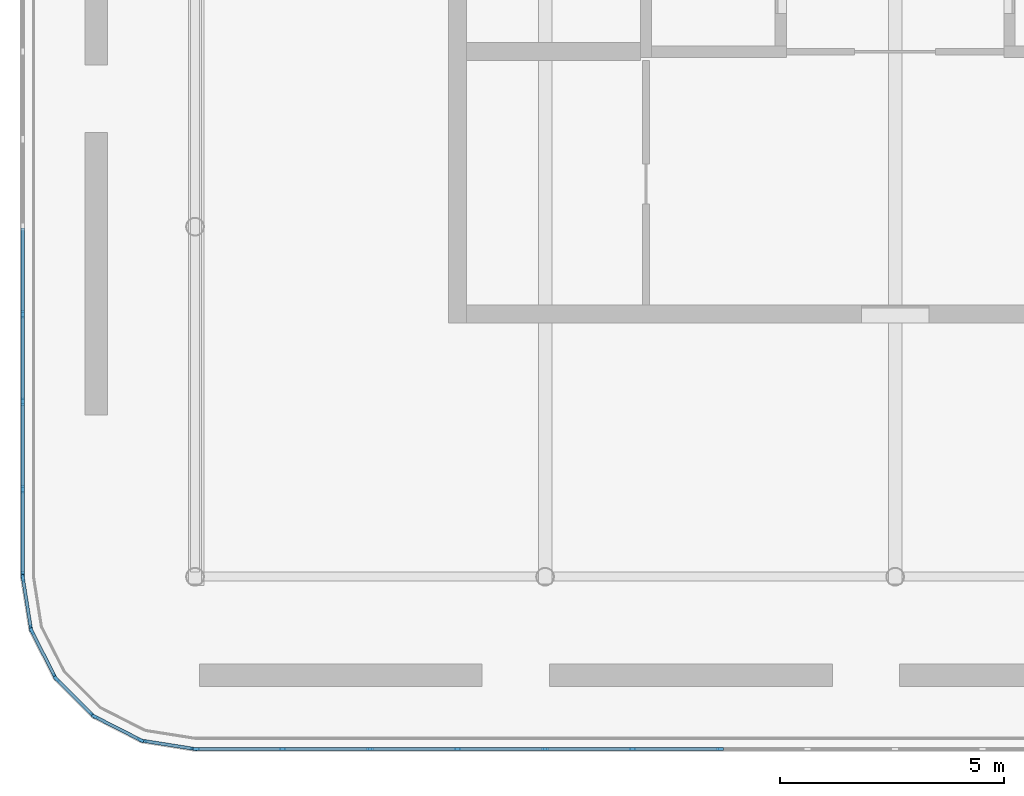
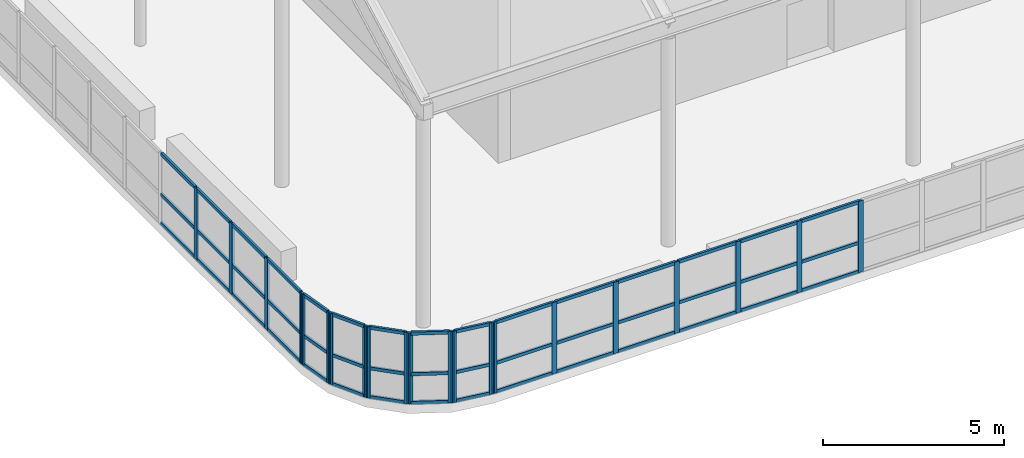
# One storey, part 4 of 19: 66 members, 7 elements without a shape of their own.
"""IFC4 building model written with IfcOpenShell, lengths in metres."""

from ifc_helpers import new_model, si_unit, direction, frame, origin, origin_2d, place, context, subcontext, project, spatial, rectangle, extrude, material, material_profile, profile_set, type_object, element, aggregate, save


model = new_model("IFC4")

# Units and contexts
model_context = context("Model", 3, precision=1e-05, world=origin(), true_north=direction((0.0, 1.0)))
body_context = subcontext(model_context, "Body", "Model", "MODEL_VIEW")
ifc_project = project(units=[si_unit("LENGTHUNIT", "METRE"), si_unit("AREAUNIT", "SQUARE_METRE"), si_unit("VOLUMEUNIT", "CUBIC_METRE"), si_unit("PLANEANGLEUNIT", "RADIAN"), si_unit("MASSUNIT", "GRAM", prefix="KILO")], contexts=[model_context])

# Site, building, storey
site_placement = place(None, origin())
site = spatial("IfcSite", under=ifc_project, at=site_placement, CompositionType="ELEMENT")
building_placement = place(site_placement, origin())
building = spatial("IfcBuilding", under=site, at=building_placement, Name="Ludao Terraces", CompositionType="ELEMENT")
storey_placement = place(building_placement, frame((0.0, 0.0, 266.39990234375)))
storey = spatial("IfcBuildingStorey", under=building, at=storey_placement, Name="L73", CompositionType="ELEMENT", Elevation=266.39990234375)

# Curtain wall, members
ifc_material_1 = material(Name="Aluminium curtain wall with fritted glass", Category="aluminium")
curtain_wall_type = type_object("IfcCurtainWallType", Name="ENV CW6 crown screen glazing", PredefinedType="NOTDEFINED", material=ifc_material_1)
curtain_wall_1_placement = place(storey_placement, origin())
curtain_wall_1 = element("IfcCurtainWall", 1, at=curtain_wall_1_placement, inside=storey, type_object=curtain_wall_type, Name="Deck windscreen S1", PredefinedType="NOTDEFINED")
ifc_material_2 = material(Name="Aluminium 6063-T6", Category="aluminium")
ifc_material_profile_1 = material_profile(ifc_material_2, rectangle(XDim=0.070068359375, YDim=0.159912109375, at=origin_2d()), Name="70 X 160")
ifc_profile_set_1 = profile_set([ifc_material_profile_1], Name="Aluminium 6063-T6")
member_type_1 = type_object("IfcMemberType", Name="ENV CW6 mullion 70x160", PredefinedType="MULLION", material=ifc_profile_set_1)
member_1_placement = place(storey_placement, frame((69.43505859375, 45.56005859375, 0.0), z_axis=(0.0, 0.0, 1.0), x_axis=(0.0, 1.0, 0.0)))
member_1 = element("IfcMember", 2, at=member_1_placement, type_object=member_type_1, Name="CW6 mullion 1", PredefinedType="MULLION", context=body_context, shape_type="SweptSolid", body=[
    extrude(rectangle(XDim=0.070068359375, YDim=0.159912109375, at=origin_2d()), origin(), (0.0, 0.0, 1.0), 2.400146484375),
])
member_2_placement = place(storey_placement, frame((71.35009765625, 45.56005859375, 0.0), z_axis=(0.0, 0.0, 1.0), x_axis=(0.0, 1.0, 0.0)))
member_2 = element("IfcMember", 3, at=member_2_placement, type_object=member_type_1, Name="CW6 mullion 2", PredefinedType="MULLION", context=body_context, shape_type="SweptSolid", body=[
    extrude(rectangle(XDim=0.070068359375, YDim=0.159912109375, at=origin_2d()), origin(), (0.0, 0.0, 1.0), 2.400146484375),
])
member_3_placement = place(storey_placement, frame((73.300048828125, 45.56005859375, 0.0), z_axis=(0.0, 0.0, 1.0), x_axis=(0.0, 1.0, 0.0)))
member_3 = element("IfcMember", 4, at=member_3_placement, type_object=member_type_1, Name="CW6 mullion 3", PredefinedType="MULLION", context=body_context, shape_type="SweptSolid", body=[
    extrude(rectangle(XDim=0.070068359375, YDim=0.159912109375, at=origin_2d()), origin(), (0.0, 0.0, 1.0), 2.400146484375),
])
member_4_placement = place(storey_placement, frame((75.25, 45.56005859375, 0.0), z_axis=(0.0, 0.0, 1.0), x_axis=(0.0, 1.0, 0.0)))
member_4 = element("IfcMember", 5, at=member_4_placement, type_object=member_type_1, Name="CW6 mullion 4", PredefinedType="MULLION", context=body_context, shape_type="SweptSolid", body=[
    extrude(rectangle(XDim=0.070068359375, YDim=0.159912109375, at=origin_2d()), origin(), (0.0, 0.0, 1.0), 2.400146484375),
])
member_5_placement = place(storey_placement, frame((77.199951171875, 45.56005859375, 0.0), z_axis=(0.0, 0.0, 1.0), x_axis=(0.0, 1.0, 0.0)))
member_5 = element("IfcMember", 6, at=member_5_placement, type_object=member_type_1, Name="CW6 mullion 5", PredefinedType="MULLION", context=body_context, shape_type="SweptSolid", body=[
    extrude(rectangle(XDim=0.070068359375, YDim=0.159912109375, at=origin_2d()), origin(), (0.0, 0.0, 1.0), 2.400146484375),
])
member_6_placement = place(storey_placement, frame((79.14990234375, 45.56005859375, 0.0), z_axis=(0.0, 0.0, 1.0), x_axis=(0.0, 1.0, 0.0)))
member_6 = element("IfcMember", 7, at=member_6_placement, type_object=member_type_1, Name="CW6 mullion 6", PredefinedType="MULLION", context=body_context, shape_type="SweptSolid", body=[
    extrude(rectangle(XDim=0.070068359375, YDim=0.159912109375, at=origin_2d()), origin(), (0.0, 0.0, 1.0), 2.400146484375),
])
member_7_placement = place(storey_placement, frame((81.10009765625, 45.56005859375, 0.0), z_axis=(0.0, 0.0, 1.0), x_axis=(0.0, 1.0, 0.0)))
member_7 = element("IfcMember", 8, at=member_7_placement, type_object=member_type_1, Name="CW6 mullion 7", PredefinedType="MULLION", context=body_context, shape_type="SweptSolid", body=[
    extrude(rectangle(XDim=0.070068359375, YDim=0.159912109375, at=origin_2d()), origin(), (0.0, 0.0, 1.0), 2.400146484375),
])

curtain_wall_2_placement = place(storey_placement, origin())
curtain_wall_2 = element("IfcCurtainWall", 9, at=curtain_wall_2_placement, inside=storey, type_object=curtain_wall_type, Name="Deck windscreen W1", PredefinedType="NOTDEFINED")
member_8_placement = place(storey_placement, frame((65.56005859375, 49.43505859375, 0.0), z_axis=(0.0, 0.0, 1.0), x_axis=(-1.0, 0.0, 0.0)))
member_8 = element("IfcMember", 10, at=member_8_placement, type_object=member_type_1, Name="CW6 mullion 1", PredefinedType="MULLION", context=body_context, shape_type="SweptSolid", body=[
    extrude(rectangle(XDim=0.070068359375, YDim=0.159912109375, at=origin_2d()), origin(), (0.0, 0.0, 1.0), 2.400146484375),
])
member_9_placement = place(storey_placement, frame((65.56005859375, 51.35009765625, 0.0), z_axis=(0.0, 0.0, 1.0), x_axis=(-1.0, 0.0, 0.0)))
member_9 = element("IfcMember", 11, at=member_9_placement, type_object=member_type_1, Name="CW6 mullion 2", PredefinedType="MULLION", context=body_context, shape_type="SweptSolid", body=[
    extrude(rectangle(XDim=0.070068359375, YDim=0.159912109375, at=origin_2d()), origin(), (0.0, 0.0, 1.0), 2.400146484375),
])
member_10_placement = place(storey_placement, frame((65.56005859375, 53.300048828125, 0.0), z_axis=(0.0, 0.0, 1.0), x_axis=(-1.0, 0.0, 0.0)))
member_10 = element("IfcMember", 12, at=member_10_placement, type_object=member_type_1, Name="CW6 mullion 3", PredefinedType="MULLION", context=body_context, shape_type="SweptSolid", body=[
    extrude(rectangle(XDim=0.070068359375, YDim=0.159912109375, at=origin_2d()), origin(), (0.0, 0.0, 1.0), 2.400146484375),
])
member_11_placement = place(storey_placement, frame((65.56005859375, 55.25, 0.0), z_axis=(0.0, 0.0, 1.0), x_axis=(-1.0, 0.0, 0.0)))
member_11 = element("IfcMember", 13, at=member_11_placement, type_object=member_type_1, Name="CW6 mullion 4", PredefinedType="MULLION", context=body_context, shape_type="SweptSolid", body=[
    extrude(rectangle(XDim=0.070068359375, YDim=0.159912109375, at=origin_2d()), origin(), (0.0, 0.0, 1.0), 2.400146484375),
])

curtain_wall_3_placement = place(storey_placement, origin())
curtain_wall_3 = element("IfcCurtainWall", 14, at=curtain_wall_3_placement, inside=storey, type_object=curtain_wall_type, Name="Deck windscreen SW1", PredefinedType="NOTDEFINED")
member_12_placement = place(storey_placement, frame((65.5654296875, 49.365478515625, 0.0), z_axis=(0.0, 0.0, 1.0), x_axis=(0.987688332429, 0.1564345166, 0.0)))
member_12 = element("IfcMember", 15, at=member_12_placement, type_object=member_type_1, Name="CW6 mullion 1", PredefinedType="MULLION", context=body_context, shape_type="SweptSolid", body=[
    extrude(rectangle(XDim=0.070068359375, YDim=0.159912109375, at=origin_2d()), origin(), (0.0, 0.0, 1.0), 2.400146484375),
])
member_13_placement = place(storey_placement, frame((65.742431640625, 48.248046875, 0.0), z_axis=(0.0, 0.0, 1.0), x_axis=(0.987688332429, 0.1564345166, 0.0)))
member_13 = element("IfcMember", 16, at=member_13_placement, type_object=member_type_1, Name="CW6 mullion 2", PredefinedType="MULLION", context=body_context, shape_type="SweptSolid", body=[
    extrude(rectangle(XDim=0.070068359375, YDim=0.159912109375, at=origin_2d()), origin(), (0.0, 0.0, 1.0), 2.400146484375),
])

curtain_wall_4_placement = place(storey_placement, origin())
curtain_wall_4 = element("IfcCurtainWall", 17, at=curtain_wall_4_placement, inside=storey, type_object=curtain_wall_type, Name="Deck windscreen SW2", PredefinedType="NOTDEFINED")
member_14_placement = place(storey_placement, frame((65.763916015625, 48.18212890625, 0.0), z_axis=(0.0, 0.0, 1.0), x_axis=(0.891006425848, 0.453990692743, 0.0)))
member_14 = element("IfcMember", 18, at=member_14_placement, type_object=member_type_1, Name="CW6 mullion 1", PredefinedType="MULLION", context=body_context, shape_type="SweptSolid", body=[
    extrude(rectangle(XDim=0.070068359375, YDim=0.159912109375, at=origin_2d()), origin(), (0.0, 0.0, 1.0), 2.400146484375),
])
member_15_placement = place(storey_placement, frame((66.277587890625, 47.174072265625, 0.0), z_axis=(0.0, 0.0, 1.0), x_axis=(0.891006425848, 0.453990692743, 0.0)))
member_15 = element("IfcMember", 19, at=member_15_placement, type_object=member_type_1, Name="CW6 mullion 2", PredefinedType="MULLION", context=body_context, shape_type="SweptSolid", body=[
    extrude(rectangle(XDim=0.070068359375, YDim=0.159912109375, at=origin_2d()), origin(), (0.0, 0.0, 1.0), 2.400146484375),
])

curtain_wall_5_placement = place(storey_placement, origin())
curtain_wall_5 = element("IfcCurtainWall", 20, at=curtain_wall_5_placement, inside=storey, type_object=curtain_wall_type, Name="Deck windscreen SW3", PredefinedType="NOTDEFINED")
member_16_placement = place(storey_placement, frame((66.318115234375, 47.1181640625, 0.0), z_axis=(0.0, 0.0, 1.0), x_axis=(0.707106781187, 0.707106781187, 0.0)))
member_16 = element("IfcMember", 21, at=member_16_placement, type_object=member_type_1, Name="CW6 mullion 1", PredefinedType="MULLION", context=body_context, shape_type="SweptSolid", body=[
    extrude(rectangle(XDim=0.070068359375, YDim=0.159912109375, at=origin_2d()), origin(), (0.0, 0.0, 1.0), 2.400146484375),
])
member_17_placement = place(storey_placement, frame((67.1181640625, 46.318115234375, 0.0), z_axis=(0.0, 0.0, 1.0), x_axis=(0.707106781187, 0.707106781187, 0.0)))
member_17 = element("IfcMember", 22, at=member_17_placement, type_object=member_type_1, Name="CW6 mullion 2", PredefinedType="MULLION", context=body_context, shape_type="SweptSolid", body=[
    extrude(rectangle(XDim=0.070068359375, YDim=0.159912109375, at=origin_2d()), origin(), (0.0, 0.0, 1.0), 2.400146484375),
])

curtain_wall_6_placement = place(storey_placement, origin())
curtain_wall_6 = element("IfcCurtainWall", 23, at=curtain_wall_6_placement, inside=storey, type_object=curtain_wall_type, Name="Deck windscreen SW4", PredefinedType="NOTDEFINED")
member_18_placement = place(storey_placement, frame((67.174072265625, 46.277587890625, 0.0), z_axis=(0.0, 0.0, 1.0), x_axis=(0.453990692743, 0.891006425848, 0.0)))
member_18 = element("IfcMember", 24, at=member_18_placement, type_object=member_type_1, Name="CW6 mullion 1", PredefinedType="MULLION", context=body_context, shape_type="SweptSolid", body=[
    extrude(rectangle(XDim=0.070068359375, YDim=0.159912109375, at=origin_2d()), origin(), (0.0, 0.0, 1.0), 2.400146484375),
])
member_19_placement = place(storey_placement, frame((68.18212890625, 45.763916015625, 0.0), z_axis=(0.0, 0.0, 1.0), x_axis=(0.453990692743, 0.891006425848, 0.0)))
member_19 = element("IfcMember", 25, at=member_19_placement, type_object=member_type_1, Name="CW6 mullion 2", PredefinedType="MULLION", context=body_context, shape_type="SweptSolid", body=[
    extrude(rectangle(XDim=0.070068359375, YDim=0.159912109375, at=origin_2d()), origin(), (0.0, 0.0, 1.0), 2.400146484375),
])

curtain_wall_7_placement = place(storey_placement, origin())
curtain_wall_7 = element("IfcCurtainWall", 26, at=curtain_wall_7_placement, inside=storey, type_object=curtain_wall_type, Name="Deck windscreen SW5", PredefinedType="NOTDEFINED")
member_20_placement = place(storey_placement, frame((68.248046875, 45.742431640625, 0.0), z_axis=(0.0, 0.0, 1.0), x_axis=(0.1564345166, 0.987688332429, 0.0)))
member_20 = element("IfcMember", 27, at=member_20_placement, type_object=member_type_1, Name="CW6 mullion 1", PredefinedType="MULLION", context=body_context, shape_type="SweptSolid", body=[
    extrude(rectangle(XDim=0.070068359375, YDim=0.159912109375, at=origin_2d()), origin(), (0.0, 0.0, 1.0), 2.400146484375),
])
member_21_placement = place(storey_placement, frame((69.365478515625, 45.5654296875, 0.0), z_axis=(0.0, 0.0, 1.0), x_axis=(0.1564345166, 0.987688332429, 0.0)))
member_21 = element("IfcMember", 28, at=member_21_placement, type_object=member_type_1, Name="CW6 mullion 2", PredefinedType="MULLION", context=body_context, shape_type="SweptSolid", body=[
    extrude(rectangle(XDim=0.070068359375, YDim=0.159912109375, at=origin_2d()), origin(), (0.0, 0.0, 1.0), 2.400146484375),
])

# Member
ifc_material_profile_2 = material_profile(ifc_material_2, rectangle(XDim=0.070068359375, YDim=0.110107421875, at=origin_2d()), Name="70 X 110")
ifc_profile_set_2 = profile_set([ifc_material_profile_2], Name="Aluminium 6063-T6")
member_type_2 = type_object("IfcMemberType", Name="ENV CW6 transom 70x110", PredefinedType="USERDEFINED", material=ifc_profile_set_2)
member_22_placement = place(storey_placement, frame((69.469970703125, 45.56005859375, 0.03515625), z_axis=(1.0, 0.0, 0.0), x_axis=(0.0, 1.0, 0.0)))
member_22 = element("IfcMember", 29, at=member_22_placement, type_object=member_type_2, Name="CW6 transom 1.1", ObjectType="TRANSOM", PredefinedType="USERDEFINED", context=body_context, shape_type="SweptSolid", body=[
    extrude(rectangle(XDim=0.070068359375, YDim=0.110107421875, at=origin_2d()), origin(), (0.0, 0.0, 1.0), 1.844970703125),
])

member_23_placement = place(storey_placement, frame((69.469970703125, 45.56005859375, 1.0), z_axis=(1.0, 0.0, 0.0), x_axis=(0.0, 1.0, 0.0)))
member_23 = element("IfcMember", 30, at=member_23_placement, type_object=member_type_2, Name="CW6 transom 1.2", ObjectType="TRANSOM", PredefinedType="USERDEFINED", context=body_context, shape_type="SweptSolid", body=[
    extrude(rectangle(XDim=0.070068359375, YDim=0.110107421875, at=origin_2d()), origin(), (0.0, 0.0, 1.0), 1.844970703125),
])

member_24_placement = place(storey_placement, frame((69.469970703125, 45.56005859375, 2.364990234375), z_axis=(1.0, 0.0, 0.0), x_axis=(0.0, 1.0, 0.0)))
member_24 = element("IfcMember", 31, at=member_24_placement, type_object=member_type_2, Name="CW6 transom 1.3", ObjectType="TRANSOM", PredefinedType="USERDEFINED", context=body_context, shape_type="SweptSolid", body=[
    extrude(rectangle(XDim=0.070068359375, YDim=0.110107421875, at=origin_2d()), origin(), (0.0, 0.0, 1.0), 1.844970703125),
])

member_25_placement = place(storey_placement, frame((71.385009765625, 45.56005859375, 0.03515625), z_axis=(1.0, 0.0, 0.0), x_axis=(0.0, 1.0, 0.0)))
member_25 = element("IfcMember", 32, at=member_25_placement, type_object=member_type_2, Name="CW6 transom 2.1", ObjectType="TRANSOM", PredefinedType="USERDEFINED", context=body_context, shape_type="SweptSolid", body=[
    extrude(rectangle(XDim=0.070068359375, YDim=0.110107421875, at=origin_2d()), origin(), (0.0, 0.0, 1.0), 1.8798828125),
])

member_26_placement = place(storey_placement, frame((71.385009765625, 45.56005859375, 1.0), z_axis=(1.0, 0.0, 0.0), x_axis=(0.0, 1.0, 0.0)))
member_26 = element("IfcMember", 33, at=member_26_placement, type_object=member_type_2, Name="CW6 transom 2.2", ObjectType="TRANSOM", PredefinedType="USERDEFINED", context=body_context, shape_type="SweptSolid", body=[
    extrude(rectangle(XDim=0.070068359375, YDim=0.110107421875, at=origin_2d()), origin(), (0.0, 0.0, 1.0), 1.8798828125),
])

member_27_placement = place(storey_placement, frame((71.385009765625, 45.56005859375, 2.364990234375), z_axis=(1.0, 0.0, 0.0), x_axis=(0.0, 1.0, 0.0)))
member_27 = element("IfcMember", 34, at=member_27_placement, type_object=member_type_2, Name="CW6 transom 2.3", ObjectType="TRANSOM", PredefinedType="USERDEFINED", context=body_context, shape_type="SweptSolid", body=[
    extrude(rectangle(XDim=0.070068359375, YDim=0.110107421875, at=origin_2d()), origin(), (0.0, 0.0, 1.0), 1.8798828125),
])

member_28_placement = place(storey_placement, frame((73.3349609375, 45.56005859375, 0.03515625), z_axis=(1.0, 0.0, 0.0), x_axis=(0.0, 1.0, 0.0)))
member_28 = element("IfcMember", 35, at=member_28_placement, type_object=member_type_2, Name="CW6 transom 3.1", ObjectType="TRANSOM", PredefinedType="USERDEFINED", context=body_context, shape_type="SweptSolid", body=[
    extrude(rectangle(XDim=0.070068359375, YDim=0.110107421875, at=origin_2d()), origin(), (0.0, 0.0, 1.0), 1.880126953125),
])

member_29_placement = place(storey_placement, frame((73.3349609375, 45.56005859375, 1.0), z_axis=(1.0, 0.0, 0.0), x_axis=(0.0, 1.0, 0.0)))
member_29 = element("IfcMember", 36, at=member_29_placement, type_object=member_type_2, Name="CW6 transom 3.2", ObjectType="TRANSOM", PredefinedType="USERDEFINED", context=body_context, shape_type="SweptSolid", body=[
    extrude(rectangle(XDim=0.070068359375, YDim=0.110107421875, at=origin_2d()), origin(), (0.0, 0.0, 1.0), 1.880126953125),
])

member_30_placement = place(storey_placement, frame((73.3349609375, 45.56005859375, 2.364990234375), z_axis=(1.0, 0.0, 0.0), x_axis=(0.0, 1.0, 0.0)))
member_30 = element("IfcMember", 37, at=member_30_placement, type_object=member_type_2, Name="CW6 transom 3.3", ObjectType="TRANSOM", PredefinedType="USERDEFINED", context=body_context, shape_type="SweptSolid", body=[
    extrude(rectangle(XDim=0.070068359375, YDim=0.110107421875, at=origin_2d()), origin(), (0.0, 0.0, 1.0), 1.880126953125),
])

member_31_placement = place(storey_placement, frame((75.284912109375, 45.56005859375, 0.03515625), z_axis=(1.0, 0.0, 0.0), x_axis=(0.0, 1.0, 0.0)))
member_31 = element("IfcMember", 38, at=member_31_placement, type_object=member_type_2, Name="CW6 transom 4.1", ObjectType="TRANSOM", PredefinedType="USERDEFINED", context=body_context, shape_type="SweptSolid", body=[
    extrude(rectangle(XDim=0.070068359375, YDim=0.110107421875, at=origin_2d()), origin(), (0.0, 0.0, 1.0), 1.880126953125),
])

member_32_placement = place(storey_placement, frame((75.284912109375, 45.56005859375, 1.0), z_axis=(1.0, 0.0, 0.0), x_axis=(0.0, 1.0, 0.0)))
member_32 = element("IfcMember", 39, at=member_32_placement, type_object=member_type_2, Name="CW6 transom 4.2", ObjectType="TRANSOM", PredefinedType="USERDEFINED", context=body_context, shape_type="SweptSolid", body=[
    extrude(rectangle(XDim=0.070068359375, YDim=0.110107421875, at=origin_2d()), origin(), (0.0, 0.0, 1.0), 1.880126953125),
])

member_33_placement = place(storey_placement, frame((75.284912109375, 45.56005859375, 2.364990234375), z_axis=(1.0, 0.0, 0.0), x_axis=(0.0, 1.0, 0.0)))
member_33 = element("IfcMember", 40, at=member_33_placement, type_object=member_type_2, Name="CW6 transom 4.3", ObjectType="TRANSOM", PredefinedType="USERDEFINED", context=body_context, shape_type="SweptSolid", body=[
    extrude(rectangle(XDim=0.070068359375, YDim=0.110107421875, at=origin_2d()), origin(), (0.0, 0.0, 1.0), 1.880126953125),
])

member_34_placement = place(storey_placement, frame((77.235107421875, 45.56005859375, 0.03515625), z_axis=(1.0, 0.0, 0.0), x_axis=(0.0, 1.0, 0.0)))
member_34 = element("IfcMember", 41, at=member_34_placement, type_object=member_type_2, Name="CW6 transom 5.1", ObjectType="TRANSOM", PredefinedType="USERDEFINED", context=body_context, shape_type="SweptSolid", body=[
    extrude(rectangle(XDim=0.070068359375, YDim=0.110107421875, at=origin_2d()), origin(), (0.0, 0.0, 1.0), 1.8798828125),
])

member_35_placement = place(storey_placement, frame((77.235107421875, 45.56005859375, 1.0), z_axis=(1.0, 0.0, 0.0), x_axis=(0.0, 1.0, 0.0)))
member_35 = element("IfcMember", 42, at=member_35_placement, type_object=member_type_2, Name="CW6 transom 5.2", ObjectType="TRANSOM", PredefinedType="USERDEFINED", context=body_context, shape_type="SweptSolid", body=[
    extrude(rectangle(XDim=0.070068359375, YDim=0.110107421875, at=origin_2d()), origin(), (0.0, 0.0, 1.0), 1.8798828125),
])

member_36_placement = place(storey_placement, frame((77.235107421875, 45.56005859375, 2.364990234375), z_axis=(1.0, 0.0, 0.0), x_axis=(0.0, 1.0, 0.0)))
member_36 = element("IfcMember", 43, at=member_36_placement, type_object=member_type_2, Name="CW6 transom 5.3", ObjectType="TRANSOM", PredefinedType="USERDEFINED", context=body_context, shape_type="SweptSolid", body=[
    extrude(rectangle(XDim=0.070068359375, YDim=0.110107421875, at=origin_2d()), origin(), (0.0, 0.0, 1.0), 1.8798828125),
])

member_37_placement = place(storey_placement, frame((79.18505859375, 45.56005859375, 0.03515625), z_axis=(1.0, 0.0, 0.0), x_axis=(0.0, 1.0, 0.0)))
member_37 = element("IfcMember", 44, at=member_37_placement, type_object=member_type_2, Name="CW6 transom 6.1", ObjectType="TRANSOM", PredefinedType="USERDEFINED", context=body_context, shape_type="SweptSolid", body=[
    extrude(rectangle(XDim=0.070068359375, YDim=0.110107421875, at=origin_2d()), origin(), (0.0, 0.0, 1.0), 1.8798828125),
])

member_38_placement = place(storey_placement, frame((79.18505859375, 45.56005859375, 1.0), z_axis=(1.0, 0.0, 0.0), x_axis=(0.0, 1.0, 0.0)))
member_38 = element("IfcMember", 45, at=member_38_placement, type_object=member_type_2, Name="CW6 transom 6.2", ObjectType="TRANSOM", PredefinedType="USERDEFINED", context=body_context, shape_type="SweptSolid", body=[
    extrude(rectangle(XDim=0.070068359375, YDim=0.110107421875, at=origin_2d()), origin(), (0.0, 0.0, 1.0), 1.8798828125),
])

member_39_placement = place(storey_placement, frame((79.18505859375, 45.56005859375, 2.364990234375), z_axis=(1.0, 0.0, 0.0), x_axis=(0.0, 1.0, 0.0)))
member_39 = element("IfcMember", 46, at=member_39_placement, type_object=member_type_2, Name="CW6 transom 6.3", ObjectType="TRANSOM", PredefinedType="USERDEFINED", context=body_context, shape_type="SweptSolid", body=[
    extrude(rectangle(XDim=0.070068359375, YDim=0.110107421875, at=origin_2d()), origin(), (0.0, 0.0, 1.0), 1.8798828125),
])

aggregate(curtain_wall_1, [member_1, member_2, member_3, member_4, member_5, member_6, member_7, member_22, member_23, member_24, member_25, member_26, member_27, member_28, member_29, member_30, member_31, member_32, member_33, member_34, member_35, member_36, member_37, member_38, member_39])

member_40_placement = place(storey_placement, frame((65.56005859375, 49.469970703125, 0.03515625), z_axis=(0.0, 1.0, 0.0), x_axis=(-1.0, 0.0, 0.0)))
member_40 = element("IfcMember", 47, at=member_40_placement, type_object=member_type_2, Name="CW6 transom 1.1", ObjectType="TRANSOM", PredefinedType="USERDEFINED", context=body_context, shape_type="SweptSolid", body=[
    extrude(rectangle(XDim=0.070068359375, YDim=0.110107421875, at=origin_2d()), origin(), (0.0, 0.0, 1.0), 1.844970703125),
])

member_41_placement = place(storey_placement, frame((65.56005859375, 49.469970703125, 1.0), z_axis=(0.0, 1.0, 0.0), x_axis=(-1.0, 0.0, 0.0)))
member_41 = element("IfcMember", 48, at=member_41_placement, type_object=member_type_2, Name="CW6 transom 1.2", ObjectType="TRANSOM", PredefinedType="USERDEFINED", context=body_context, shape_type="SweptSolid", body=[
    extrude(rectangle(XDim=0.070068359375, YDim=0.110107421875, at=origin_2d()), origin(), (0.0, 0.0, 1.0), 1.844970703125),
])

member_42_placement = place(storey_placement, frame((65.56005859375, 49.469970703125, 2.364990234375), z_axis=(0.0, 1.0, 0.0), x_axis=(-1.0, 0.0, 0.0)))
member_42 = element("IfcMember", 49, at=member_42_placement, type_object=member_type_2, Name="CW6 transom 1.3", ObjectType="TRANSOM", PredefinedType="USERDEFINED", context=body_context, shape_type="SweptSolid", body=[
    extrude(rectangle(XDim=0.070068359375, YDim=0.110107421875, at=origin_2d()), origin(), (0.0, 0.0, 1.0), 1.844970703125),
])

member_43_placement = place(storey_placement, frame((65.56005859375, 51.385009765625, 0.03515625), z_axis=(0.0, 1.0, 0.0), x_axis=(-1.0, 0.0, 0.0)))
member_43 = element("IfcMember", 50, at=member_43_placement, type_object=member_type_2, Name="CW6 transom 2.1", ObjectType="TRANSOM", PredefinedType="USERDEFINED", context=body_context, shape_type="SweptSolid", body=[
    extrude(rectangle(XDim=0.070068359375, YDim=0.110107421875, at=origin_2d()), origin(), (0.0, 0.0, 1.0), 1.8798828125),
])

member_44_placement = place(storey_placement, frame((65.56005859375, 51.385009765625, 1.0), z_axis=(0.0, 1.0, 0.0), x_axis=(-1.0, 0.0, 0.0)))
member_44 = element("IfcMember", 51, at=member_44_placement, type_object=member_type_2, Name="CW6 transom 2.2", ObjectType="TRANSOM", PredefinedType="USERDEFINED", context=body_context, shape_type="SweptSolid", body=[
    extrude(rectangle(XDim=0.070068359375, YDim=0.110107421875, at=origin_2d()), origin(), (0.0, 0.0, 1.0), 1.8798828125),
])

member_45_placement = place(storey_placement, frame((65.56005859375, 51.385009765625, 2.364990234375), z_axis=(0.0, 1.0, 0.0), x_axis=(-1.0, 0.0, 0.0)))
member_45 = element("IfcMember", 52, at=member_45_placement, type_object=member_type_2, Name="CW6 transom 2.3", ObjectType="TRANSOM", PredefinedType="USERDEFINED", context=body_context, shape_type="SweptSolid", body=[
    extrude(rectangle(XDim=0.070068359375, YDim=0.110107421875, at=origin_2d()), origin(), (0.0, 0.0, 1.0), 1.8798828125),
])

member_46_placement = place(storey_placement, frame((65.56005859375, 53.3349609375, 0.03515625), z_axis=(0.0, 1.0, 0.0), x_axis=(-1.0, 0.0, 0.0)))
member_46 = element("IfcMember", 53, at=member_46_placement, type_object=member_type_2, Name="CW6 transom 3.1", ObjectType="TRANSOM", PredefinedType="USERDEFINED", context=body_context, shape_type="SweptSolid", body=[
    extrude(rectangle(XDim=0.070068359375, YDim=0.110107421875, at=origin_2d()), origin(), (0.0, 0.0, 1.0), 1.880126953125),
])

member_47_placement = place(storey_placement, frame((65.56005859375, 53.3349609375, 1.0), z_axis=(0.0, 1.0, 0.0), x_axis=(-1.0, 0.0, 0.0)))
member_47 = element("IfcMember", 54, at=member_47_placement, type_object=member_type_2, Name="CW6 transom 3.2", ObjectType="TRANSOM", PredefinedType="USERDEFINED", context=body_context, shape_type="SweptSolid", body=[
    extrude(rectangle(XDim=0.070068359375, YDim=0.110107421875, at=origin_2d()), origin(), (0.0, 0.0, 1.0), 1.880126953125),
])

member_48_placement = place(storey_placement, frame((65.56005859375, 53.3349609375, 2.364990234375), z_axis=(0.0, 1.0, 0.0), x_axis=(-1.0, 0.0, 0.0)))
member_48 = element("IfcMember", 55, at=member_48_placement, type_object=member_type_2, Name="CW6 transom 3.3", ObjectType="TRANSOM", PredefinedType="USERDEFINED", context=body_context, shape_type="SweptSolid", body=[
    extrude(rectangle(XDim=0.070068359375, YDim=0.110107421875, at=origin_2d()), origin(), (0.0, 0.0, 1.0), 1.880126953125),
])

member_49_placement = place(storey_placement, frame((65.56005859375, 55.284912109375, 0.03515625), z_axis=(0.0, 1.0, 0.0), x_axis=(-1.0, 0.0, 0.0)))
member_49 = element("IfcMember", 56, at=member_49_placement, type_object=member_type_2, Name="CW6 transom 4.1", ObjectType="TRANSOM", PredefinedType="USERDEFINED", context=body_context, shape_type="SweptSolid", body=[
    extrude(rectangle(XDim=0.070068359375, YDim=0.110107421875, at=origin_2d()), origin(), (0.0, 0.0, 1.0), 1.880126953125),
])

member_50_placement = place(storey_placement, frame((65.56005859375, 55.284912109375, 1.0), z_axis=(0.0, 1.0, 0.0), x_axis=(-1.0, 0.0, 0.0)))
member_50 = element("IfcMember", 57, at=member_50_placement, type_object=member_type_2, Name="CW6 transom 4.2", ObjectType="TRANSOM", PredefinedType="USERDEFINED", context=body_context, shape_type="SweptSolid", body=[
    extrude(rectangle(XDim=0.070068359375, YDim=0.110107421875, at=origin_2d()), origin(), (0.0, 0.0, 1.0), 1.880126953125),
])

member_51_placement = place(storey_placement, frame((65.56005859375, 55.284912109375, 2.364990234375), z_axis=(0.0, 1.0, 0.0), x_axis=(-1.0, 0.0, 0.0)))
member_51 = element("IfcMember", 58, at=member_51_placement, type_object=member_type_2, Name="CW6 transom 4.3", ObjectType="TRANSOM", PredefinedType="USERDEFINED", context=body_context, shape_type="SweptSolid", body=[
    extrude(rectangle(XDim=0.070068359375, YDim=0.110107421875, at=origin_2d()), origin(), (0.0, 0.0, 1.0), 1.880126953125),
])

aggregate(curtain_wall_2, [member_8, member_9, member_10, member_11, member_40, member_41, member_42, member_43, member_44, member_45, member_46, member_47, member_48, member_49, member_50, member_51])

member_52_placement = place(storey_placement, frame((65.571044921875, 49.330810546875, 0.03515625), z_axis=(0.156411400898, -0.98769199332, 0.0), x_axis=(0.98769199332, 0.156411400898, 0.0)))
member_52 = element("IfcMember", 59, at=member_52_placement, type_object=member_type_2, Name="CW6 transom 1.1", ObjectType="TRANSOM", PredefinedType="USERDEFINED", context=body_context, shape_type="SweptSolid", body=[
    extrude(rectangle(XDim=0.070068359375, YDim=0.110107421875, at=origin_2d()), origin(), (0.0, 0.0, 1.0), 1.0615234375),
])

member_53_placement = place(storey_placement, frame((65.571044921875, 49.330810546875, 1.0), z_axis=(0.156411400898, -0.98769199332, 0.0), x_axis=(0.98769199332, 0.156411400898, 0.0)))
member_53 = element("IfcMember", 60, at=member_53_placement, type_object=member_type_2, Name="CW6 transom 1.2", ObjectType="TRANSOM", PredefinedType="USERDEFINED", context=body_context, shape_type="SweptSolid", body=[
    extrude(rectangle(XDim=0.070068359375, YDim=0.110107421875, at=origin_2d()), origin(), (0.0, 0.0, 1.0), 1.0615234375),
])

member_54_placement = place(storey_placement, frame((65.571044921875, 49.330810546875, 2.364990234375), z_axis=(0.156411400898, -0.98769199332, 0.0), x_axis=(0.98769199332, 0.156411400898, 0.0)))
member_54 = element("IfcMember", 61, at=member_54_placement, type_object=member_type_2, Name="CW6 transom 1.3", ObjectType="TRANSOM", PredefinedType="USERDEFINED", context=body_context, shape_type="SweptSolid", body=[
    extrude(rectangle(XDim=0.070068359375, YDim=0.110107421875, at=origin_2d()), origin(), (0.0, 0.0, 1.0), 1.0615234375),
])

aggregate(curtain_wall_3, [member_12, member_13, member_52, member_53, member_54])

member_55_placement = place(storey_placement, frame((65.77978515625, 48.151123046875, 0.03515625), z_axis=(0.453825852637, -0.891090396917, 0.0), x_axis=(0.891090396917, 0.453825852637, 0.0)))
member_55 = element("IfcMember", 62, at=member_55_placement, type_object=member_type_2, Name="CW6 transom 1.1", ObjectType="TRANSOM", PredefinedType="USERDEFINED", context=body_context, shape_type="SweptSolid", body=[
    extrude(rectangle(XDim=0.070068359375, YDim=0.110107421875, at=origin_2d()), origin(), (0.0, 0.0, 1.0), 1.061279296875),
])

member_56_placement = place(storey_placement, frame((65.77978515625, 48.151123046875, 1.0), z_axis=(0.453825852637, -0.891090396917, 0.0), x_axis=(0.891090396917, 0.453825852637, 0.0)))
member_56 = element("IfcMember", 63, at=member_56_placement, type_object=member_type_2, Name="CW6 transom 1.2", ObjectType="TRANSOM", PredefinedType="USERDEFINED", context=body_context, shape_type="SweptSolid", body=[
    extrude(rectangle(XDim=0.070068359375, YDim=0.110107421875, at=origin_2d()), origin(), (0.0, 0.0, 1.0), 1.061279296875),
])

member_57_placement = place(storey_placement, frame((65.77978515625, 48.151123046875, 2.364990234375), z_axis=(0.453825852637, -0.891090396917, 0.0), x_axis=(0.891090396917, 0.453825852637, 0.0)))
member_57 = element("IfcMember", 64, at=member_57_placement, type_object=member_type_2, Name="CW6 transom 1.3", ObjectType="TRANSOM", PredefinedType="USERDEFINED", context=body_context, shape_type="SweptSolid", body=[
    extrude(rectangle(XDim=0.070068359375, YDim=0.110107421875, at=origin_2d()), origin(), (0.0, 0.0, 1.0), 1.061279296875),
])

aggregate(curtain_wall_4, [member_14, member_15, member_55, member_56, member_57])

member_58_placement = place(storey_placement, frame((66.3427734375, 47.093505859375, 0.03515625), z_axis=(0.707106781187, -0.707106781187, 0.0), x_axis=(0.707106781187, 0.707106781187, 0.0)))
member_58 = element("IfcMember", 65, at=member_58_placement, type_object=member_type_2, Name="CW6 transom 1.1", ObjectType="TRANSOM", PredefinedType="USERDEFINED", context=body_context, shape_type="SweptSolid", body=[
    extrude(rectangle(XDim=0.070068359375, YDim=0.110107421875, at=origin_2d()), origin(), (0.0, 0.0, 1.0), 1.061767578125),
])

member_59_placement = place(storey_placement, frame((66.3427734375, 47.093505859375, 1.0), z_axis=(0.707106781187, -0.707106781187, 0.0), x_axis=(0.707106781187, 0.707106781187, 0.0)))
member_59 = element("IfcMember", 66, at=member_59_placement, type_object=member_type_2, Name="CW6 transom 1.2", ObjectType="TRANSOM", PredefinedType="USERDEFINED", context=body_context, shape_type="SweptSolid", body=[
    extrude(rectangle(XDim=0.070068359375, YDim=0.110107421875, at=origin_2d()), origin(), (0.0, 0.0, 1.0), 1.061767578125),
])

member_60_placement = place(storey_placement, frame((66.3427734375, 47.093505859375, 2.364990234375), z_axis=(0.707106781187, -0.707106781187, 0.0), x_axis=(0.707106781187, 0.707106781187, 0.0)))
member_60 = element("IfcMember", 67, at=member_60_placement, type_object=member_type_2, Name="CW6 transom 1.3", ObjectType="TRANSOM", PredefinedType="USERDEFINED", context=body_context, shape_type="SweptSolid", body=[
    extrude(rectangle(XDim=0.070068359375, YDim=0.110107421875, at=origin_2d()), origin(), (0.0, 0.0, 1.0), 1.061767578125),
])

aggregate(curtain_wall_5, [member_16, member_17, member_58, member_59, member_60])

member_61_placement = place(storey_placement, frame((67.205322265625, 46.261474609375, 0.03515625), z_axis=(0.891090396917, -0.453825852637, 0.0), x_axis=(0.453825852637, 0.891090396917, 0.0)))
member_61 = element("IfcMember", 68, at=member_61_placement, type_object=member_type_2, Name="CW6 transom 1.1", ObjectType="TRANSOM", PredefinedType="USERDEFINED", context=body_context, shape_type="SweptSolid", body=[
    extrude(rectangle(XDim=0.070068359375, YDim=0.110107421875, at=origin_2d()), origin(), (0.0, 0.0, 1.0), 1.061279296875),
])

member_62_placement = place(storey_placement, frame((67.205322265625, 46.261474609375, 1.0), z_axis=(0.891090396917, -0.453825852637, 0.0), x_axis=(0.453825852637, 0.891090396917, 0.0)))
member_62 = element("IfcMember", 69, at=member_62_placement, type_object=member_type_2, Name="CW6 transom 1.2", ObjectType="TRANSOM", PredefinedType="USERDEFINED", context=body_context, shape_type="SweptSolid", body=[
    extrude(rectangle(XDim=0.070068359375, YDim=0.110107421875, at=origin_2d()), origin(), (0.0, 0.0, 1.0), 1.061279296875),
])

member_63_placement = place(storey_placement, frame((67.205322265625, 46.261474609375, 2.364990234375), z_axis=(0.891090396917, -0.453825852637, 0.0), x_axis=(0.453825852637, 0.891090396917, 0.0)))
member_63 = element("IfcMember", 70, at=member_63_placement, type_object=member_type_2, Name="CW6 transom 1.3", ObjectType="TRANSOM", PredefinedType="USERDEFINED", context=body_context, shape_type="SweptSolid", body=[
    extrude(rectangle(XDim=0.070068359375, YDim=0.110107421875, at=origin_2d()), origin(), (0.0, 0.0, 1.0), 1.061279296875),
])

aggregate(curtain_wall_6, [member_18, member_19, member_61, member_62, member_63])

member_64_placement = place(storey_placement, frame((68.282470703125, 45.737060546875, 0.03515625), z_axis=(0.98769199332, -0.156411400898, 0.0), x_axis=(0.156411400898, 0.98769199332, 0.0)))
member_64 = element("IfcMember", 71, at=member_64_placement, type_object=member_type_2, Name="CW6 transom 1.1", ObjectType="TRANSOM", PredefinedType="USERDEFINED", context=body_context, shape_type="SweptSolid", body=[
    extrude(rectangle(XDim=0.070068359375, YDim=0.110107421875, at=origin_2d()), origin(), (0.0, 0.0, 1.0), 1.0615234375),
])

member_65_placement = place(storey_placement, frame((68.282470703125, 45.737060546875, 1.0), z_axis=(0.98769199332, -0.156411400898, 0.0), x_axis=(0.156411400898, 0.98769199332, 0.0)))
member_65 = element("IfcMember", 72, at=member_65_placement, type_object=member_type_2, Name="CW6 transom 1.2", ObjectType="TRANSOM", PredefinedType="USERDEFINED", context=body_context, shape_type="SweptSolid", body=[
    extrude(rectangle(XDim=0.070068359375, YDim=0.110107421875, at=origin_2d()), origin(), (0.0, 0.0, 1.0), 1.0615234375),
])

member_66_placement = place(storey_placement, frame((68.282470703125, 45.737060546875, 2.364990234375), z_axis=(0.98769199332, -0.156411400898, 0.0), x_axis=(0.156411400898, 0.98769199332, 0.0)))
member_66 = element("IfcMember", 73, at=member_66_placement, type_object=member_type_2, Name="CW6 transom 1.3", ObjectType="TRANSOM", PredefinedType="USERDEFINED", context=body_context, shape_type="SweptSolid", body=[
    extrude(rectangle(XDim=0.070068359375, YDim=0.110107421875, at=origin_2d()), origin(), (0.0, 0.0, 1.0), 1.0615234375),
])

aggregate(curtain_wall_7, [member_20, member_21, member_64, member_65, member_66])

save(model, "model.ifc")
